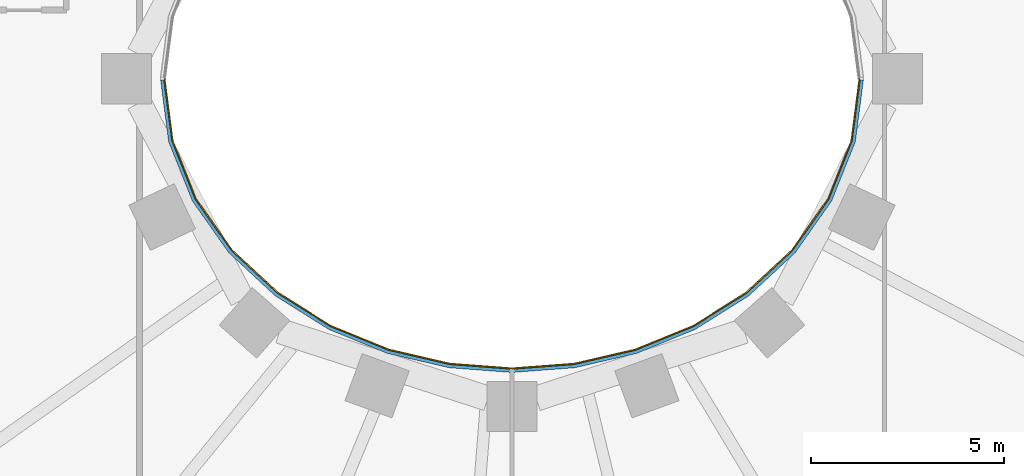
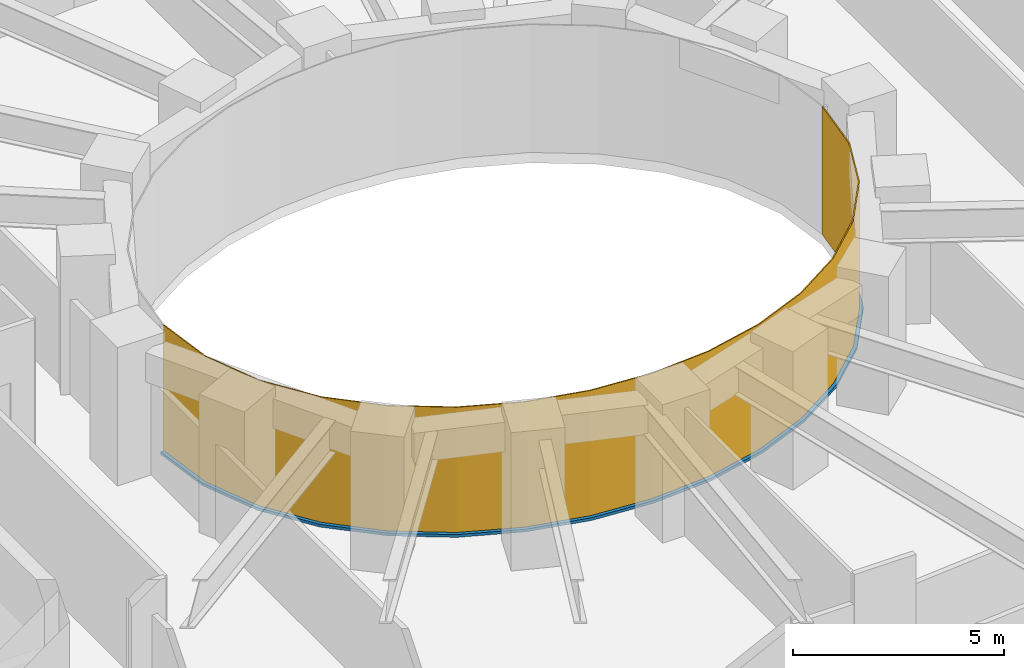
# One storey, part 9 of 16: 1 curtain wall, 1 member.
"""IFC4 building model written with IfcOpenShell, lengths in metres."""

from ifc_helpers import new_model, si_unit, direction, frame, origin, place, context, subcontext, project, spatial, polyline, outline, extrude, material, layer, layer_set, type_object, element, aggregate, save


model = new_model("IFC4")

# Units and contexts
model_context = context("Model", 3, precision=1e-05, world=origin(), true_north=direction((0.0, 1.0)))
body_context = subcontext(model_context, "Body", "Model", "MODEL_VIEW")
ifc_project = project(units=[si_unit("LENGTHUNIT", "METRE"), si_unit("AREAUNIT", "SQUARE_METRE"), si_unit("VOLUMEUNIT", "CUBIC_METRE"), si_unit("PLANEANGLEUNIT", "RADIAN"), si_unit("MASSUNIT", "GRAM", prefix="KILO")], contexts=[model_context])

# Member
ifc_material_1 = material(Name="Steel S355 fire-resisting frame", Category="steel")
member_type = type_object("IfcMemberType", Name="ENV-TRANSOM-W", PredefinedType="USERDEFINED", material=ifc_material_1)
site_placement = place(None, origin())
building_placement = place(site_placement, origin())
storey_placement = place(building_placement, frame((0.0, 0.0, 78.5)))
member_placement = place(storey_placement, origin())
member = element("IfcMember", 1, at=member_placement, type_object=member_type, Name="Transom W well 17-01", ObjectType="TRANSOM", PredefinedType="USERDEFINED", context=body_context, shape_type="SweptSolid", body=[
    extrude(outline(polyline([(-9.119384765625, -0.02783203125), (-8.910400390625, -1.63623046875), (-8.29833984375, -3.167236328125), (-7.35107421875, -4.5146484375), (-6.1455078125, -5.6337890625), (-4.75341796875, -6.50634765625), (-3.233642578125, -7.127685546875), (-1.635498046875, -7.498779296875), (0.0, -7.622314453125), (1.635498046875, -7.498779296875), (3.233642578125, -7.127685546875), (4.75341796875, -6.50634765625), (6.1455078125, -5.6337890625), (7.35107421875, -4.5146484375), (8.29833984375, -3.167236328125), (8.910400390625, -1.63623046875), (9.119384765625, -0.02783203125), (9.02880859375, -0.02783203125), (8.822509765625, -1.61328125), (8.21875, -3.124267578125), (7.282958984375, -4.455078125), (6.090576171875, -5.56201171875), (4.712158203125, -6.426025390625), (3.206298828125, -7.04150390625), (1.621826171875, -7.40966796875), (0.0, -7.531982421875), (-1.621826171875, -7.40966796875), (-3.206298828125, -7.04150390625), (-4.712158203125, -6.426025390625), (-6.090576171875, -5.56201171875), (-7.282958984375, -4.455078125), (-8.21875, -3.124267578125), (-8.822509765625, -1.61328125), (-9.02880859375, -0.02783203125), (-9.119384765625, -0.02783203125)])), origin(), (0.0, 0.0, 1.0), 0.080078125),
])

# Site, building, storey
site = spatial("IfcSite", under=ifc_project, at=site_placement, CompositionType="ELEMENT")
building = spatial("IfcBuilding", under=site, at=building_placement, Name="Noorbagh Ring Tower", CompositionType="ELEMENT")
storey = spatial("IfcBuildingStorey", under=building, at=storey_placement, Name="L17", CompositionType="ELEMENT", Elevation=78.5)

# Curtain wall
ifc_material_2 = material(Name="Glass fire-resisting E60 laminated", Category="glass")
ifc_layer = layer(ifc_material_2, 0.031982421875)
ifc_layer_set = layer_set([ifc_layer], Name="Glass fire-resisting E60 laminated")
curtain_wall_type = type_object("IfcCurtainWallType", Name="ENV-CW-W", PredefinedType="NOTDEFINED", material=ifc_layer_set)
curtain_wall_placement = place(storey_placement, origin())
curtain_wall = element("IfcCurtainWall", 2, at=curtain_wall_placement, inside=storey, type_object=curtain_wall_type, Name="Curtain wall W W17", PredefinedType="NOTDEFINED", context=body_context, shape_type="SweptSolid", body=[
    extrude(outline(polyline([(-9.0322265625, 0.0), (-8.822509765625, -1.61328125), (-8.21875, -3.124267578125), (-7.282958984375, -4.455078125), (-6.090576171875, -5.56201171875), (-4.712158203125, -6.426025390625), (-3.206298828125, -7.04150390625), (-1.621826171875, -7.40966796875), (0.0, -7.531982421875), (1.621826171875, -7.40966796875), (3.206298828125, -7.04150390625), (4.712158203125, -6.426025390625), (6.090576171875, -5.56201171875), (7.282958984375, -4.455078125), (8.21875, -3.124267578125), (8.822509765625, -1.61328125), (9.0322265625, 0.0), (9.0, 0.0), (8.79150390625, -1.605224609375), (8.1904296875, -3.10888671875), (7.2587890625, -4.43408203125), (6.071044921875, -5.53662109375), (4.697509765625, -6.3974609375), (3.196533203125, -7.010986328125), (1.6171875, -7.3779296875), (0.0, -7.5), (-1.6171875, -7.3779296875), (-3.196533203125, -7.010986328125), (-4.697509765625, -6.3974609375), (-6.071044921875, -5.53662109375), (-7.2587890625, -4.43408203125), (-8.1904296875, -3.10888671875), (-8.79150390625, -1.605224609375), (-9.0, 0.0), (-9.0322265625, 0.0)])), origin(), (0.0, 0.0, 1.0), 3.699951171875),
])

aggregate(curtain_wall, [member])

save(model, "model.ifc")
